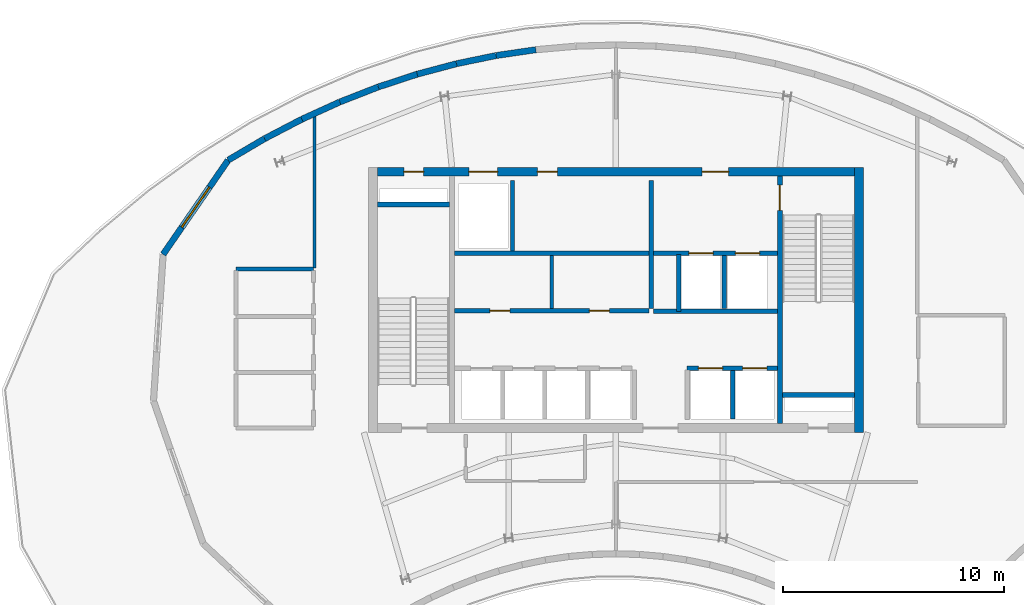
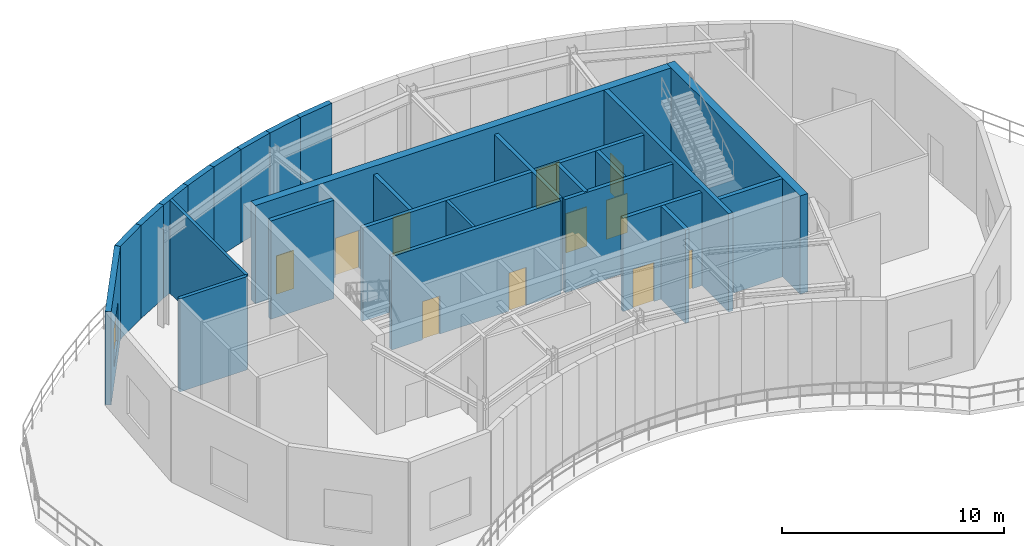
# One storey, part 4 of 8: 27 walls, 11 doors, 1 window, 12 openings.
"""IFC4 building model written with IfcOpenShell, lengths in metres."""

from ifc_helpers import new_model, si_unit, direction, frame, frame_2d, origin, place, context, subcontext, project, spatial, rectangle, extrude, source, transform, mapped, material, layer, layer_set, type_object, type_shapes, element, fill, save


model = new_model("IFC4")

# Units and contexts
model_context = context("Model", 3, precision=1e-05, world=origin(), true_north=direction((0.0, 1.0)))
body_context = subcontext(model_context, "Body", "Model", "MODEL_VIEW")
ifc_project = project(units=[si_unit("LENGTHUNIT", "METRE"), si_unit("AREAUNIT", "SQUARE_METRE"), si_unit("VOLUMEUNIT", "CUBIC_METRE"), si_unit("PLANEANGLEUNIT", "RADIAN"), si_unit("MASSUNIT", "GRAM", prefix="KILO")], contexts=[model_context])

# Site, building, storey
site_placement = place(None, origin())
site = spatial("IfcSite", under=ifc_project, at=site_placement, CompositionType="ELEMENT")
building_placement = place(site_placement, origin())
building = spatial("IfcBuilding", under=site, at=building_placement, Name="Breltana Convention Tower", CompositionType="ELEMENT")
storey_placement = place(building_placement, frame((0.0, 0.0, 312.60009765625)))
storey = spatial("IfcBuildingStorey", under=building, at=storey_placement, Name="L76", CompositionType="ELEMENT", Elevation=312.60009765625)

# Walls
ifc_material_1 = material(Name="Concrete C50/60", Category="concrete")
ifc_layer_1 = layer(ifc_material_1, 0.39990234375, Name="Concrete C50/60")
ifc_layer_set_1 = layer_set([ifc_layer_1], Name="Concrete C50/60")
wall_type_1 = type_object("IfcWallType", Name="SW-CORE-400", PredefinedType="SHEAR", material=ifc_layer_set_1)
shared_shape_1 = source(origin(), body_context, "Body", "SweptSolid", [
    extrude(rectangle(XDim=3.27001953125, YDim=0.219970703125, at=frame_2d((1.635009765625, 0.0))), origin(), (0.0, 0.0, 1.0), 5.39990234375),
])
for number, where, z_axis, x_axis, name in (
    (1, (37.199951171875, 70.510009765625, 0.0), (0.0, 0.0, 1.0), (1.0, 0.0, 0.0), "L76 ST-1 Stairwell North Bearing Wall"),
    (2, (55.530029296875, 61.889892578125, 0.0), (0.0, 0.0, 1.0), (1.0, 0.0, 0.0), "L76 ST-2 Stairwell South Bearing Wall"),
):
    element("IfcWall", number, at=place(storey_placement, frame(where, z_axis=z_axis, x_axis=x_axis)), inside=storey, type_object=wall_type_1, Name=name, PredefinedType="SHEAR", context=body_context, shape_type="MappedRepresentation", body=[
        mapped(shared_shape_1, transform((0.0, 0.0, 0.0), scale=1.0)),
    ])
shared_shape_2 = source(origin(), body_context, "Body", "SweptSolid", [
    extrude(rectangle(XDim=12.0, YDim=0.39990234375, at=frame_2d((6.0, 0.0))), origin(), (0.0, 0.0, 1.0), 5.39990234375),
])
wall_1_placement = place(storey_placement, frame((59.0, 60.199951171875, 0.0), z_axis=(0.0, 0.0, 1.0), x_axis=(0.0, 1.0, 0.0)))
element("IfcWall", 3, at=wall_1_placement, inside=storey, type_object=wall_type_1, Name="L76 East Core Shear Wall", PredefinedType="SHEAR", context=body_context, shape_type="MappedRepresentation", body=[
    mapped(shared_shape_2, transform((0.0, 0.0, 0.0), scale=1.0)),
])

# Wall, openings, doors
shared_shape_3 = source(origin(), body_context, "Body", "SweptSolid", [
    extrude(rectangle(XDim=21.60009765625, YDim=0.39990234375, at=frame_2d((10.800048828125, 0.0))), origin(), (0.0, 0.0, 1.0), 5.39990234375),
])
wall_2_placement = place(storey_placement, frame((37.199951171875, 72.0, 0.0), z_axis=(0.0, 0.0, 1.0), x_axis=(1.0, 0.0, 0.0)))
wall_2 = element("IfcWall", 4, at=wall_2_placement, inside=storey, type_object=wall_type_1, Name="L76 North Core Shear Wall", PredefinedType="SHEAR", context=body_context, shape_type="MappedRepresentation", body=[
    mapped(shared_shape_3, transform((0.0, 0.0, 0.0), scale=1.0)),
])
opening_1_placement = place(wall_2_placement, frame((1.199951171875, 0.0, 0.0)))
opening_1 = element("IfcOpeningElement", 5, at=opening_1_placement, cuts=wall_2, Name="Opening D-18", PredefinedType="OPENING", context=body_context, shape_type="SweptSolid", body=[
    extrude(rectangle(XDim=0.89990234375, YDim=2.10009765625, at=frame_2d((0.449951171875, 1.050048828125))), frame((0.0, 0.2099609375, 0.0), z_axis=(0.0, -1.0, 0.0), x_axis=(1.0, 0.0, 0.0)), (0.0, 0.0, 1.0), 0.419921875),
])
opening_2_placement = place(wall_2_placement, frame((14.699951171875, 0.0, 0.0)))
opening_2 = element("IfcOpeningElement", 6, at=opening_2_placement, cuts=wall_2, Name="Opening D-09", PredefinedType="OPENING", context=body_context, shape_type="SweptSolid", body=[
    extrude(rectangle(XDim=1.199951171875, YDim=2.14990234375, at=frame_2d((0.60009765625, 1.074951171875))), frame((0.0, 0.2099609375, 0.0), z_axis=(0.0, -1.0, 0.0), x_axis=(1.0, 0.0, 0.0)), (0.0, 0.0, 1.0), 0.419921875),
])
opening_3_placement = place(wall_2_placement, frame((4.14990234375, 0.0, 0.0)))
opening_3 = element("IfcOpeningElement", 7, at=opening_3_placement, cuts=wall_2, Name="Opening LD-01", PredefinedType="OPENING", context=body_context, shape_type="SweptSolid", body=[
    extrude(rectangle(XDim=1.300048828125, YDim=2.14990234375, at=frame_2d((0.64990234375, 1.074951171875))), frame((0.0, 0.2099609375, 0.0), z_axis=(0.0, -1.0, 0.0), x_axis=(1.0, 0.0, 0.0)), (0.0, 0.0, 1.0), 0.419921875),
])
opening_4_placement = place(wall_2_placement, frame((7.25, 0.0, 0.0)))
opening_4 = element("IfcOpeningElement", 8, at=opening_4_placement, cuts=wall_2, Name="Opening D-18", PredefinedType="OPENING", context=body_context, shape_type="SweptSolid", body=[
    extrude(rectangle(XDim=0.89990234375, YDim=2.10009765625, at=frame_2d((0.449951171875, 1.050048828125))), frame((0.0, 0.2099609375, 0.0), z_axis=(0.0, -1.0, 0.0), x_axis=(1.0, 0.0, 0.0)), (0.0, 0.0, 1.0), 0.419921875),
])
ifc_material_2 = material(Name="Steel Riser Fire Door", Category="steel")
door_type_1 = type_object("IfcDoorType", Name="DR-FD60-900", OperationType="NOTDEFINED", PredefinedType="DOOR", material=ifc_material_2)
shared_shape_4 = source(origin(), body_context, "Body", "SweptSolid", [
    extrude(rectangle(XDim=0.89990234375, YDim=2.10009765625, at=frame_2d((0.449951171875, 1.050048828125))), frame((0.0, 0.02490234375, 0.0), z_axis=(0.0, -1.0, 0.0), x_axis=(1.0, 0.0, 0.0)), (0.0, 0.0, 1.0), 0.050048828125),
])
type_shapes(door_type_1, [shared_shape_4])
door_1_placement = place(opening_1_placement, origin())
door_1 = element("IfcDoor", 9, at=door_1_placement, inside=storey, type_object=door_type_1, Name="L76 Core Riser Access Door D-L76-RS1", OperationType="SINGLE_SWING_LEFT", OverallHeight=2.10009765625, OverallWidth=0.89990234375, PredefinedType="DOOR", context=body_context, shape_type="MappedRepresentation", body=[
    mapped(shared_shape_4, transform((0.0, 0.0, 0.0), scale=1.0)),
])
fill(opening_1, door_1)
door_2_placement = place(opening_4_placement, origin())
door_2 = element("IfcDoor", 10, at=door_2_placement, inside=storey, type_object=door_type_1, Name="L76 interior door D-L76-CRA1", OperationType="SINGLE_SWING_RIGHT", OverallHeight=2.10009765625, OverallWidth=0.89990234375, PredefinedType="DOOR", context=body_context, shape_type="MappedRepresentation", body=[
    mapped(shared_shape_4, transform((0.0, 0.0, 0.0), scale=1.0)),
])
fill(opening_4, door_2)
ifc_material_3 = material(Name="Steel Fire Lobby Door", Category="steel")
door_type_2 = type_object("IfcDoorType", Name="DR-FD120-1200", OperationType="NOTDEFINED", PredefinedType="DOOR", material=ifc_material_3)
shared_shape_5 = source(origin(), body_context, "Body", "SweptSolid", [
    extrude(rectangle(XDim=1.199951171875, YDim=2.14990234375, at=frame_2d((0.60009765625, 1.074951171875))), frame((0.0, 0.02490234375, 0.0), z_axis=(0.0, -1.0, 0.0), x_axis=(1.0, 0.0, 0.0)), (0.0, 0.0, 1.0), 0.050048828125),
])
type_shapes(door_type_2, [shared_shape_5])
door_3_placement = place(opening_2_placement, origin())
door_3 = element("IfcDoor", 11, at=door_3_placement, inside=storey, type_object=door_type_2, Name="L76 interior door D-L76-FFL-N", OperationType="SINGLE_SWING_RIGHT", OverallHeight=2.14990234375, OverallWidth=1.199951171875, PredefinedType="DOOR", context=body_context, shape_type="MappedRepresentation", body=[
    mapped(shared_shape_5, transform((0.0, 0.0, 0.0), scale=1.0)),
])
fill(opening_2, door_3)
ifc_material_4 = material(Name="Stainless Steel Brushed", Category="steel")
door_type_3 = type_object("IfcDoorType", Name="DR-LD-SRV-1300", OperationType="DOUBLE_DOOR_SLIDING", PredefinedType="DOOR", material=ifc_material_4)
shared_shape_6 = source(origin(), body_context, "Body", "SweptSolid", [
    extrude(rectangle(XDim=1.300048828125, YDim=2.14990234375, at=frame_2d((0.64990234375, 1.074951171875))), frame((0.0, 0.02490234375, 0.0), z_axis=(0.0, -1.0, 0.0), x_axis=(1.0, 0.0, 0.0)), (0.0, 0.0, 1.0), 0.050048828125),
])
type_shapes(door_type_3, [shared_shape_6])
door_4_placement = place(opening_3_placement, origin())
door_4 = element("IfcDoor", 12, at=door_4_placement, inside=storey, type_object=door_type_3, Name="L76 Lift Landing Door D-L76-LD-SV1", OperationType="DOUBLE_DOOR_SLIDING", OverallHeight=2.14990234375, OverallWidth=1.300048828125, PredefinedType="DOOR", context=body_context, shape_type="MappedRepresentation", body=[
    mapped(shared_shape_6, transform((0.0, 0.0, 0.0), scale=1.0)),
])
fill(opening_3, door_4)

# Wall, opening, door
shared_shape_7 = source(origin(), body_context, "Body", "SweptSolid", [
    extrude(rectangle(XDim=11.199951171875, YDim=0.219970703125, at=frame_2d((5.60009765625, 0.0))), origin(), (0.0, 0.0, 1.0), 5.39990234375),
])
wall_3_placement = place(storey_placement, frame((55.419921875, 60.60009765625, 0.0), z_axis=(0.0, 0.0, 1.0), x_axis=(0.0, 1.0, 0.0)))
wall_3 = element("IfcWall", 13, at=wall_3_placement, inside=storey, type_object=wall_type_1, Name="L76 Core East Stair Spine Wall", PredefinedType="SHEAR", context=body_context, shape_type="MappedRepresentation", body=[
    mapped(shared_shape_7, transform((0.0, 0.0, 0.0), scale=1.0)),
])
opening_5_placement = place(wall_3_placement, frame((9.64501953125, 0.0, 0.0)))
opening_5 = element("IfcOpeningElement", 14, at=opening_5_placement, cuts=wall_3, Name="Opening D-11", PredefinedType="OPENING", context=body_context, shape_type="SweptSolid", body=[
    extrude(rectangle(XDim=1.14990234375, YDim=2.14990234375, at=frame_2d((0.574951171875, 1.074951171875))), frame((0.0, 0.1201171875, 0.0), z_axis=(0.0, -1.0, 0.0), x_axis=(1.0, 0.0, 0.0)), (0.0, 0.0, 1.0), 0.239990234375),
])
ifc_material_5 = material(Name="Steel Stair Exit Door", Category="steel")
door_type_4 = type_object("IfcDoorType", Name="DR-FD120-1150", OperationType="NOTDEFINED", PredefinedType="DOOR", material=ifc_material_5)
shared_shape_8 = source(origin(), body_context, "Body", "SweptSolid", [
    extrude(rectangle(XDim=1.14990234375, YDim=2.14990234375, at=frame_2d((0.574951171875, 1.074951171875))), frame((0.0, 0.02490234375, 0.0), z_axis=(0.0, -1.0, 0.0), x_axis=(1.0, 0.0, 0.0)), (0.0, 0.0, 1.0), 0.050048828125),
])
type_shapes(door_type_4, [shared_shape_8])
door_5_placement = place(opening_5_placement, origin())
door_5 = element("IfcDoor", 15, at=door_5_placement, inside=storey, type_object=door_type_4, Name="L76 interior door D-L76-ST2", OperationType="SINGLE_SWING_LEFT", OverallHeight=2.14990234375, OverallWidth=1.14990234375, PredefinedType="DOOR", context=body_context, shape_type="MappedRepresentation", body=[
    mapped(shared_shape_8, transform((0.0, 0.0, 0.0), scale=1.0)),
])
fill(opening_5, door_5)

# Wall, opening, window
ifc_material_6 = material(Name="Limestone Buff Insulated Wall", Category="masonry")
ifc_layer_2 = layer(ifc_material_6, 0.280029296875, Name="Limestone Buff Insulated Wall")
ifc_layer_set_2 = layer_set([ifc_layer_2], Name="Limestone Buff Insulated Wall")
wall_type_2 = type_object("IfcWallType", Name="WL-EXT-NOSE-280", PredefinedType="SOLIDWALL", material=ifc_layer_set_2)
shared_shape_9 = source(origin(), body_context, "Body", "SweptSolid", [
    extrude(rectangle(XDim=5.181396484375, YDim=0.280029296875, at=frame_2d((2.5908203125, 0.0))), origin(), (0.0, 0.0, 1.0), 5.119873046875),
])
wall_4_placement = place(storey_placement, frame((27.509521484375, 68.25830078125, 0.0), z_axis=(0.0, 0.0, 1.0), x_axis=(0.568207430175, 0.82288536036, 0.0)))
wall_4 = element("IfcWall", 16, at=wall_4_placement, inside=storey, type_object=wall_type_2, Name="L76 Sky Lookout enclosure wall 49", PredefinedType="SOLIDWALL", context=body_context, shape_type="MappedRepresentation", body=[
    mapped(shared_shape_9, transform((0.0, 0.0, 0.0), scale=1.0)),
])
opening_6_placement = place(wall_4_placement, frame((1.49072265625, 0.0, 0.949951171875)))
opening_6 = element("IfcOpeningElement", 17, at=opening_6_placement, cuts=wall_4, Name="Opening W-03", PredefinedType="OPENING", context=body_context, shape_type="SweptSolid", body=[
    extrude(rectangle(XDim=2.199951171875, YDim=2.10009765625, at=frame_2d((1.10009765625, 1.050048828125))), frame((0.0, 0.14990234375, 0.0), z_axis=(0.0, -1.0, 0.0), x_axis=(1.0, 0.0, 0.0)), (0.0, 0.0, 1.0), 0.300048828125),
])
ifc_material_7 = material(Name="Glass Low-E Insulated Window", Category="glass")
window_type = type_object("IfcWindowType", Name="WN-NOSE-2200X2100", PartitioningType="TRIPLE_PANEL_VERTICAL", PredefinedType="WINDOW", material=ifc_material_7)
shared_shape_10 = source(origin(), body_context, "Body", "SweptSolid", [
    extrude(rectangle(XDim=2.199951171875, YDim=2.10009765625, at=frame_2d((1.10009765625, 1.050048828125))), frame((0.0, 0.030029296875, 0.0), z_axis=(0.0, -1.0, 0.0), x_axis=(1.0, 0.0, 0.0)), (0.0, 0.0, 1.0), 0.06005859375),
])
type_shapes(window_type, [shared_shape_10])
window_placement = place(opening_6_placement, origin())
window = element("IfcWindow", 18, at=window_placement, inside=storey, type_object=window_type, Name="L76 lookout viewing window 49", OverallHeight=2.10009765625, OverallWidth=2.199951171875, PartitioningType="TRIPLE_PANEL_VERTICAL", PredefinedType="WINDOW", context=body_context, shape_type="MappedRepresentation", body=[
    mapped(shared_shape_10, transform((0.0, 0.0, 0.0), scale=1.0)),
])
fill(opening_6, window)

# Walls
shared_shape_11 = source(origin(), body_context, "Body", "SweptSolid", [
    extrude(rectangle(XDim=1.911376953125, YDim=0.280029296875, at=frame_2d((0.95556640625, 0.0))), origin(), (0.0, 0.0, 1.0), 5.119873046875),
])
wall_5_placement = place(storey_placement, frame((30.45361328125, 72.52197265625, 0.0), z_axis=(0.0, 0.0, 1.0), x_axis=(0.861434684646, 0.507868372798, 0.0)))
element("IfcWall", 19, at=wall_5_placement, inside=storey, type_object=wall_type_2, Name="L76 Sky Lookout enclosure wall 50", PredefinedType="SOLIDWALL", context=body_context, shape_type="MappedRepresentation", body=[
    mapped(shared_shape_11, transform((0.0, 0.0, 0.0), scale=1.0)),
])
shared_shape_12 = source(origin(), body_context, "Body", "SweptSolid", [
    extrude(rectangle(XDim=1.905517578125, YDim=0.280029296875, at=frame_2d((0.95263671875, 0.0))), origin(), (0.0, 0.0, 1.0), 5.119873046875),
])
wall_6_placement = place(storey_placement, frame((32.10009765625, 73.49267578125, 0.0), z_axis=(0.0, 0.0, 1.0), x_axis=(0.886820023543, 0.462114970373, 0.0)))
element("IfcWall", 20, at=wall_6_placement, inside=storey, type_object=wall_type_2, Name="L76 Sky Lookout enclosure wall 51", PredefinedType="SOLIDWALL", context=body_context, shape_type="MappedRepresentation", body=[
    mapped(shared_shape_12, transform((0.0, 0.0, 0.0), scale=1.0)),
])
shared_shape_13 = source(origin(), body_context, "Body", "SweptSolid", [
    extrude(rectangle(XDim=1.885986328125, YDim=0.280029296875, at=frame_2d((0.94287109375, 0.0))), origin(), (0.0, 0.0, 1.0), 5.119873046875),
])
wall_7_placement = place(storey_placement, frame((33.7900390625, 74.373291015625, 0.0), z_axis=(0.0, 0.0, 1.0), x_axis=(0.910215678877, 0.414134540852, 0.0)))
element("IfcWall", 21, at=wall_7_placement, inside=storey, type_object=wall_type_2, Name="L76 Sky Lookout enclosure wall 52", PredefinedType="SOLIDWALL", context=body_context, shape_type="MappedRepresentation", body=[
    mapped(shared_shape_13, transform((0.0, 0.0, 0.0), scale=1.0)),
])
shared_shape_14 = source(origin(), body_context, "Body", "SweptSolid", [
    extrude(rectangle(XDim=1.86865234375, YDim=0.280029296875, at=frame_2d((0.934326171875, 0.0))), origin(), (0.0, 0.0, 1.0), 5.119873046875),
])
wall_8_placement = place(storey_placement, frame((35.506591796875, 75.154296875, 0.0), z_axis=(0.0, 0.0, 1.0), x_axis=(0.931508536142, 0.363719462078, 0.0)))
element("IfcWall", 22, at=wall_8_placement, inside=storey, type_object=wall_type_2, Name="L76 Sky Lookout enclosure wall 53", PredefinedType="SOLIDWALL", context=body_context, shape_type="MappedRepresentation", body=[
    mapped(shared_shape_14, transform((0.0, 0.0, 0.0), scale=1.0)),
])
shared_shape_15 = source(origin(), body_context, "Body", "SweptSolid", [
    extrude(rectangle(XDim=1.85302734375, YDim=0.280029296875, at=frame_2d((0.926513671875, 0.0))), origin(), (0.0, 0.0, 1.0), 5.119873046875),
])
wall_9_placement = place(storey_placement, frame((37.247314453125, 75.833984375, 0.0), z_axis=(0.0, 0.0, 1.0), x_axis=(0.950213553977, 0.311599425285, 0.0)))
element("IfcWall", 23, at=wall_9_placement, inside=storey, type_object=wall_type_2, Name="L76 Sky Lookout enclosure wall 54", PredefinedType="SOLIDWALL", context=body_context, shape_type="MappedRepresentation", body=[
    mapped(shared_shape_15, transform((0.0, 0.0, 0.0), scale=1.0)),
])
shared_shape_16 = source(origin(), body_context, "Body", "SweptSolid", [
    extrude(rectangle(XDim=1.83984375, YDim=0.280029296875, at=frame_2d((0.919921875, 0.0))), origin(), (0.0, 0.0, 1.0), 5.119873046875),
])
wall_10_placement = place(storey_placement, frame((39.008056640625, 76.411376953125, 0.0), z_axis=(0.0, 0.0, 1.0), x_axis=(0.966263564288, 0.257555284027, 0.0)))
element("IfcWall", 24, at=wall_10_placement, inside=storey, type_object=wall_type_2, Name="L76 Sky Lookout enclosure wall 55", PredefinedType="SOLIDWALL", context=body_context, shape_type="MappedRepresentation", body=[
    mapped(shared_shape_16, transform((0.0, 0.0, 0.0), scale=1.0)),
])
shared_shape_17 = source(origin(), body_context, "Body", "SweptSolid", [
    extrude(rectangle(XDim=1.8291015625, YDim=0.280029296875, at=frame_2d((0.91455078125, 0.0))), origin(), (0.0, 0.0, 1.0), 5.119873046875),
])
wall_11_placement = place(storey_placement, frame((40.785888671875, 76.88525390625, 0.0), z_axis=(0.0, 0.0, 1.0), x_axis=(0.979398075553, 0.201939123509, 0.0)))
element("IfcWall", 25, at=wall_11_placement, inside=storey, type_object=wall_type_2, Name="L76 Sky Lookout enclosure wall 56", PredefinedType="SOLIDWALL", context=body_context, shape_type="MappedRepresentation", body=[
    mapped(shared_shape_17, transform((0.0, 0.0, 0.0), scale=1.0)),
])
shared_shape_18 = source(origin(), body_context, "Body", "SweptSolid", [
    extrude(rectangle(XDim=1.8212890625, YDim=0.280029296875, at=frame_2d((0.91064453125, 0.0))), origin(), (0.0, 0.0, 1.0), 5.119873046875),
])
wall_12_placement = place(storey_placement, frame((42.577392578125, 77.254638671875, 0.0), z_axis=(0.0, 0.0, 1.0), x_axis=(0.989406187496, 0.145173675797, 0.0)))
element("IfcWall", 26, at=wall_12_placement, inside=storey, type_object=wall_type_2, Name="L76 Sky Lookout enclosure wall 57", PredefinedType="SOLIDWALL", context=body_context, shape_type="MappedRepresentation", body=[
    mapped(shared_shape_18, transform((0.0, 0.0, 0.0), scale=1.0)),
])

# Wall, openings, doors
ifc_material_8 = material(Name="Autoclaved Aerated Concrete Block", Category="concrete")
ifc_layer_3 = layer(ifc_material_8, 0.199951171875, Name="Autoclaved Aerated Concrete Block")
ifc_layer_set_3 = layer_set([ifc_layer_3], Name="Autoclaved Aerated Concrete Block")
wall_type_3 = type_object("IfcWallType", Name="WL-SHAFT-200", PredefinedType="SOLIDWALL", material=ifc_layer_set_3)
shared_shape_19 = source(origin(), body_context, "Body", "SweptSolid", [
    extrude(rectangle(XDim=5.6201171875, YDim=0.199951171875, at=frame_2d((2.81005859375, 0.0))), origin(), (0.0, 0.0, 1.0), 5.119873046875),
])
wall_13_placement = place(storey_placement, frame((49.699951171875, 68.300048828125, 0.0), z_axis=(0.0, 0.0, 1.0), x_axis=(1.0, 0.0, 0.0)))
wall_13 = element("IfcWall", 27, at=wall_13_placement, inside=storey, type_object=wall_type_3, Name="L76 interior partition W-L76-FFL-S", PredefinedType="SOLIDWALL", context=body_context, shape_type="MappedRepresentation", body=[
    mapped(shared_shape_19, transform((0.0, 0.0, 0.0), scale=1.0)),
])
opening_7_placement = place(wall_13_placement, frame((1.60009765625, 0.0, 0.0)))
opening_7 = element("IfcOpeningElement", 28, at=opening_7_placement, cuts=wall_13, Name="Opening LD-03", PredefinedType="OPENING", context=body_context, shape_type="SweptSolid", body=[
    extrude(rectangle(XDim=1.10009765625, YDim=2.14990234375, at=frame_2d((0.550048828125, 1.074951171875))), frame((0.0, 0.10986328125, 0.0), z_axis=(0.0, -1.0, 0.0), x_axis=(1.0, 0.0, 0.0)), (0.0, 0.0, 1.0), 0.219970703125),
])
opening_8_placement = place(wall_13_placement, frame((3.699951171875, 0.0, 0.0)))
opening_8 = element("IfcOpeningElement", 29, at=opening_8_placement, cuts=wall_13, Name="Opening LD-03", PredefinedType="OPENING", context=body_context, shape_type="SweptSolid", body=[
    extrude(rectangle(XDim=1.10009765625, YDim=2.14990234375, at=frame_2d((0.550048828125, 1.074951171875))), frame((0.0, 0.10986328125, 0.0), z_axis=(0.0, -1.0, 0.0), x_axis=(1.0, 0.0, 0.0)), (0.0, 0.0, 1.0), 0.219970703125),
])
door_type_5 = type_object("IfcDoorType", Name="DR-LD-FF-1100", OperationType="DOUBLE_DOOR_SLIDING", PredefinedType="DOOR", material=ifc_material_4)
shared_shape_20 = source(origin(), body_context, "Body", "SweptSolid", [
    extrude(rectangle(XDim=1.10009765625, YDim=2.14990234375, at=frame_2d((0.550048828125, 1.074951171875))), frame((0.0, 0.02490234375, 0.0), z_axis=(0.0, -1.0, 0.0), x_axis=(1.0, 0.0, 0.0)), (0.0, 0.0, 1.0), 0.050048828125),
])
type_shapes(door_type_5, [shared_shape_20])
door_6_placement = place(opening_7_placement, origin())
door_6 = element("IfcDoor", 30, at=door_6_placement, inside=storey, type_object=door_type_5, Name="L76 Lift Landing Door D-L76-LD-FL1", OperationType="DOUBLE_DOOR_SLIDING", OverallHeight=2.14990234375, OverallWidth=1.10009765625, PredefinedType="DOOR", context=body_context, shape_type="MappedRepresentation", body=[
    mapped(shared_shape_20, transform((0.0, 0.0, 0.0), scale=1.0)),
])
fill(opening_7, door_6)
door_7_placement = place(opening_8_placement, origin())
door_7 = element("IfcDoor", 31, at=door_7_placement, inside=storey, type_object=door_type_5, Name="L76 Lift Landing Door D-L76-LD-FL2", OperationType="DOUBLE_DOOR_SLIDING", OverallHeight=2.14990234375, OverallWidth=1.10009765625, PredefinedType="DOOR", context=body_context, shape_type="MappedRepresentation", body=[
    mapped(shared_shape_20, transform((0.0, 0.0, 0.0), scale=1.0)),
])
fill(opening_8, door_7)

# Walls
wall_14_placement = place(storey_placement, frame((49.699951171875, 65.679931640625, 0.0), z_axis=(0.0, 0.0, 1.0), x_axis=(1.0, 0.0, 0.0)))
element("IfcWall", 32, at=wall_14_placement, inside=storey, type_object=wall_type_3, Name="L76 interior partition W-L76-FL-S", PredefinedType="SOLIDWALL", context=body_context, shape_type="MappedRepresentation", body=[
    mapped(shared_shape_19, transform((0.0, 0.0, 0.0), scale=1.0)),
])
shared_shape_21 = source(origin(), body_context, "Body", "SweptSolid", [
    extrude(rectangle(XDim=5.800048828125, YDim=0.199951171875, at=frame_2d((2.89990234375, 0.0))), origin(), (0.0, 0.0, 1.0), 5.119873046875),
])
wall_15_placement = place(storey_placement, frame((49.60009765625, 65.800048828125, 0.0), z_axis=(0.0, 0.0, 1.0), x_axis=(0.0, 1.0, 0.0)))
element("IfcWall", 33, at=wall_15_placement, inside=storey, type_object=wall_type_3, Name="L76 interior partition W-L76-FFL-W", PredefinedType="SOLIDWALL", context=body_context, shape_type="MappedRepresentation", body=[
    mapped(shared_shape_21, transform((0.0, 0.0, 0.0), scale=1.0)),
])
shared_shape_22 = source(origin(), body_context, "Body", "SweptSolid", [
    extrude(rectangle(XDim=2.580078125, YDim=0.199951171875, at=frame_2d((1.2900390625, 0.0))), origin(), (0.0, 0.0, 1.0), 5.119873046875),
])
wall_16_placement = place(storey_placement, frame((50.85009765625, 65.679931640625, 0.0), z_axis=(0.0, 0.0, 1.0), x_axis=(0.0, 1.0, 0.0)))
element("IfcWall", 34, at=wall_16_placement, inside=storey, type_object=wall_type_3, Name="L76 interior partition W-L76-FL-W", PredefinedType="SOLIDWALL", context=body_context, shape_type="MappedRepresentation", body=[
    mapped(shared_shape_22, transform((0.0, 0.0, 0.0), scale=1.0)),
])
shared_shape_23 = source(origin(), body_context, "Body", "SweptSolid", [
    extrude(rectangle(XDim=2.39990234375, YDim=0.199951171875, at=frame_2d((1.199951171875, 0.0))), origin(), (0.0, 0.0, 1.0), 5.119873046875),
])
wall_17_placement = place(storey_placement, frame((52.89990234375, 65.800048828125, 0.0), z_axis=(0.0, 0.0, 1.0), x_axis=(0.0, 1.0, 0.0)))
element("IfcWall", 35, at=wall_17_placement, inside=storey, type_object=wall_type_3, Name="L76 interior partition W-L76-FL-DIV", PredefinedType="SOLIDWALL", context=body_context, shape_type="MappedRepresentation", body=[
    mapped(shared_shape_23, transform((0.0, 0.0, 0.0), scale=1.0)),
])
shared_shape_24 = source(origin(), body_context, "Body", "SweptSolid", [
    extrude(rectangle(XDim=3.2001953125, YDim=0.199951171875, at=frame_2d((1.60009765625, 0.0))), origin(), (0.0, 0.0, 1.0), 5.119873046875),
])
wall_18_placement = place(storey_placement, frame((43.320068359375, 68.39990234375, 0.0), z_axis=(0.0, 0.0, 1.0), x_axis=(0.0, 1.0, 0.0)))
element("IfcWall", 36, at=wall_18_placement, inside=storey, type_object=wall_type_3, Name="L76 interior partition W-L76-SV-E", PredefinedType="SOLIDWALL", context=body_context, shape_type="MappedRepresentation", body=[
    mapped(shared_shape_24, transform((0.0, 0.0, 0.0), scale=1.0)),
])
shared_shape_25 = source(origin(), body_context, "Body", "SweptSolid", [
    extrude(rectangle(XDim=8.800048828125, YDim=0.199951171875, at=frame_2d((4.39990234375, 0.0))), origin(), (0.0, 0.0, 1.0), 5.119873046875),
])
wall_19_placement = place(storey_placement, frame((40.699951171875, 68.300048828125, 0.0), z_axis=(0.0, 0.0, 1.0), x_axis=(1.0, 0.0, 0.0)))
element("IfcWall", 37, at=wall_19_placement, inside=storey, type_object=wall_type_3, Name="L76 interior partition W-L76-SV-S", PredefinedType="SOLIDWALL", context=body_context, shape_type="MappedRepresentation", body=[
    mapped(shared_shape_25, transform((0.0, 0.0, 0.0), scale=1.0)),
])

# Wall, openings, doors
wall_20_placement = place(storey_placement, frame((40.699951171875, 65.699951171875, 0.0), z_axis=(0.0, 0.0, 1.0), x_axis=(1.0, 0.0, 0.0)))
wall_20 = element("IfcWall", 38, at=wall_20_placement, inside=storey, type_object=wall_type_3, Name="L76 interior partition W-L76-SH-M-FRONT", PredefinedType="SOLIDWALL", context=body_context, shape_type="MappedRepresentation", body=[
    mapped(shared_shape_25, transform((0.0, 0.0, 0.0), scale=1.0)),
])
opening_9_placement = place(wall_20_placement, frame((1.60009765625, 0.0, 0.0)))
opening_9 = element("IfcOpeningElement", 39, at=opening_9_placement, cuts=wall_20, Name="Opening D-18", PredefinedType="OPENING", context=body_context, shape_type="SweptSolid", body=[
    extrude(rectangle(XDim=0.89990234375, YDim=2.10009765625, at=frame_2d((0.449951171875, 1.050048828125))), frame((0.0, 0.10986328125, 0.0), z_axis=(0.0, -1.0, 0.0), x_axis=(1.0, 0.0, 0.0)), (0.0, 0.0, 1.0), 0.219970703125),
])
opening_10_placement = place(wall_20_placement, frame((6.10009765625, 0.0, 0.0)))
opening_10 = element("IfcOpeningElement", 40, at=opening_10_placement, cuts=wall_20, Name="Opening D-18", PredefinedType="OPENING", context=body_context, shape_type="SweptSolid", body=[
    extrude(rectangle(XDim=0.89990234375, YDim=2.10009765625, at=frame_2d((0.449951171875, 1.050048828125))), frame((0.0, 0.10986328125, 0.0), z_axis=(0.0, -1.0, 0.0), x_axis=(1.0, 0.0, 0.0)), (0.0, 0.0, 1.0), 0.219970703125),
])
door_8_placement = place(opening_9_placement, origin())
door_8 = element("IfcDoor", 41, at=door_8_placement, inside=storey, type_object=door_type_1, Name="L76 interior door D-L76-LV7-B2A", OperationType="SINGLE_SWING_LEFT", OverallHeight=2.10009765625, OverallWidth=0.89990234375, PredefinedType="DOOR", context=body_context, shape_type="MappedRepresentation", body=[
    mapped(shared_shape_4, transform((0.0, 0.0, 0.0), scale=1.0)),
])
fill(opening_9, door_8)
door_9_placement = place(opening_10_placement, origin())
door_9 = element("IfcDoor", 42, at=door_9_placement, inside=storey, type_object=door_type_1, Name="L76 interior door D-L76-LV7-B2B", OperationType="SINGLE_SWING_RIGHT", OverallHeight=2.10009765625, OverallWidth=0.89990234375, PredefinedType="DOOR", context=body_context, shape_type="MappedRepresentation", body=[
    mapped(shared_shape_4, transform((0.0, 0.0, 0.0), scale=1.0)),
])
fill(opening_10, door_9)

shared_shape_26 = source(origin(), body_context, "Body", "SweptSolid", [
    extrude(rectangle(XDim=4.10009765625, YDim=0.199951171875, at=frame_2d((2.050048828125, 0.0))), origin(), (0.0, 0.0, 1.0), 5.119873046875),
])
wall_21_placement = place(storey_placement, frame((51.219970703125, 63.10009765625, 0.0), z_axis=(0.0, 0.0, 1.0), x_axis=(1.0, 0.0, 0.0)))
wall_21 = element("IfcWall", 43, at=wall_21_placement, inside=storey, type_object=wall_type_3, Name="L76 interior partition W-L76-SH-X-FRONT", PredefinedType="SOLIDWALL", context=body_context, shape_type="MappedRepresentation", body=[
    mapped(shared_shape_26, transform((0.0, 0.0, 0.0), scale=1.0)),
])
opening_11_placement = place(wall_21_placement, frame((0.510009765625, 0.0, 0.0)))
opening_11 = element("IfcOpeningElement", 44, at=opening_11_placement, cuts=wall_21, Name="Opening LD-02", PredefinedType="OPENING", context=body_context, shape_type="SweptSolid", body=[
    extrude(rectangle(XDim=1.10009765625, YDim=2.14990234375, at=frame_2d((0.550048828125, 1.074951171875))), frame((0.0, 0.10986328125, 0.0), z_axis=(0.0, -1.0, 0.0), x_axis=(1.0, 0.0, 0.0)), (0.0, 0.0, 1.0), 0.219970703125),
])
opening_12_placement = place(wall_21_placement, frame((2.510009765625, 0.0, 0.0)))
opening_12 = element("IfcOpeningElement", 45, at=opening_12_placement, cuts=wall_21, Name="Opening LD-02", PredefinedType="OPENING", context=body_context, shape_type="SweptSolid", body=[
    extrude(rectangle(XDim=1.10009765625, YDim=2.14990234375, at=frame_2d((0.550048828125, 1.074951171875))), frame((0.0, 0.10986328125, 0.0), z_axis=(0.0, -1.0, 0.0), x_axis=(1.0, 0.0, 0.0)), (0.0, 0.0, 1.0), 0.219970703125),
])
ifc_material_9 = material(Name="Stainless Steel Bronze", Category="steel")
door_type_6 = type_object("IfcDoorType", Name="DR-LD-EXP-1100", OperationType="DOUBLE_DOOR_SLIDING", PredefinedType="DOOR", material=ifc_material_9)
shared_shape_27 = source(origin(), body_context, "Body", "SweptSolid", [
    extrude(rectangle(XDim=1.10009765625, YDim=2.14990234375, at=frame_2d((0.550048828125, 1.074951171875))), frame((0.0, 0.02490234375, 0.0), z_axis=(0.0, -1.0, 0.0), x_axis=(1.0, 0.0, 0.0)), (0.0, 0.0, 1.0), 0.050048828125),
])
type_shapes(door_type_6, [shared_shape_27])
door_10_placement = place(opening_11_placement, origin())
door_10 = element("IfcDoor", 46, at=door_10_placement, inside=storey, type_object=door_type_6, Name="L76 Lift Landing Door D-L76-LD-X1", OperationType="DOUBLE_DOOR_SLIDING", OverallHeight=2.14990234375, OverallWidth=1.10009765625, PredefinedType="DOOR", context=body_context, shape_type="MappedRepresentation", body=[
    mapped(shared_shape_27, transform((0.0, 0.0, 0.0), scale=1.0)),
])
fill(opening_11, door_10)
door_11_placement = place(opening_12_placement, origin())
door_11 = element("IfcDoor", 47, at=door_11_placement, inside=storey, type_object=door_type_6, Name="L76 Lift Landing Door D-L76-LD-X2", OperationType="DOUBLE_DOOR_SLIDING", OverallHeight=2.14990234375, OverallWidth=1.10009765625, PredefinedType="DOOR", context=body_context, shape_type="MappedRepresentation", body=[
    mapped(shared_shape_27, transform((0.0, 0.0, 0.0), scale=1.0)),
])
fill(opening_12, door_11)

# Walls
shared_shape_28 = source(origin(), body_context, "Body", "SweptSolid", [
    extrude(rectangle(XDim=2.199951171875, YDim=0.199951171875, at=frame_2d((1.10009765625, 0.0))), origin(), (0.0, 0.0, 1.0), 5.119873046875),
])
wall_22_placement = place(storey_placement, frame((53.280029296875, 60.800048828125, 0.0), z_axis=(0.0, 0.0, 1.0), x_axis=(0.0, 1.0, 0.0)))
element("IfcWall", 48, at=wall_22_placement, inside=storey, type_object=wall_type_3, Name="L76 interior partition W-L76-SH-X-DIV", PredefinedType="SOLIDWALL", context=body_context, shape_type="MappedRepresentation", body=[
    mapped(shared_shape_28, transform((0.0, 0.0, 0.0), scale=1.0)),
])
ifc_material_10 = material(Name="Gypsum Acoustic Drywall Partition")
ifc_layer_4 = layer(ifc_material_10, 0.14990234375, Name="Gypsum Acoustic Drywall Partition")
ifc_layer_set_4 = layer_set([ifc_layer_4], Name="Gypsum Acoustic Drywall Partition")
wall_type_4 = type_object("IfcWallType", Name="WL-PART-150", PredefinedType="PARTITIONING", material=ifc_layer_set_4)
shared_shape_29 = source(origin(), body_context, "Body", "SweptSolid", [
    extrude(rectangle(XDim=2.39990234375, YDim=0.14990234375, at=frame_2d((1.199951171875, 0.0))), origin(), (0.0, 0.0, 1.0), 5.119873046875),
])
wall_23_placement = place(storey_placement, frame((45.10009765625, 65.800048828125, 0.0), z_axis=(0.0, 0.0, 1.0), x_axis=(0.0, 1.0, 0.0)))
element("IfcWall", 49, at=wall_23_placement, inside=storey, type_object=wall_type_4, Name="L76 interior partition W-L76-LV7-B2-DIV", PredefinedType="PARTITIONING", context=body_context, shape_type="MappedRepresentation", body=[
    mapped(shared_shape_29, transform((0.0, 0.0, 0.0), scale=1.0)),
])
ifc_material_11 = material(Name="Moisture-Resistant Gypsum Chase Wall")
ifc_layer_5 = layer(ifc_material_11, 0.179931640625, Name="Moisture-Resistant Gypsum Chase Wall")
ifc_layer_set_5 = layer_set([ifc_layer_5], Name="Moisture-Resistant Gypsum Chase Wall")
wall_type_5 = type_object("IfcWallType", Name="WL-PLUMB-180", PredefinedType="PLUMBINGWALL", material=ifc_layer_set_5)
shared_shape_30 = source(origin(), body_context, "Body", "SweptSolid", [
    extrude(rectangle(XDim=3.52001953125, YDim=0.179931640625, at=frame_2d((1.760009765625, 0.0))), origin(), (0.0, 0.0, 1.0), 5.119873046875),
])
wall_24_placement = place(storey_placement, frame((30.800048828125, 67.60009765625, 0.0), z_axis=(0.0, 0.0, 1.0), x_axis=(1.0, 0.0, 0.0)))
element("IfcWall", 50, at=wall_24_placement, inside=storey, type_object=wall_type_5, Name="L76 interior partition W-L76-WCA-N", PredefinedType="PLUMBINGWALL", context=body_context, shape_type="MappedRepresentation", body=[
    mapped(shared_shape_30, transform((0.0, 0.0, 0.0), scale=1.0)),
])
shared_shape_31 = source(origin(), body_context, "Body", "SweptSolid", [
    extrude(rectangle(XDim=6.86181640625, YDim=0.14990234375, at=frame_2d((3.430908203125, 0.0))), origin(), (0.0, 0.0, 1.0), 5.119873046875),
])
wall_25_placement = place(storey_placement, frame((34.360107421875, 67.64990234375, 0.0), z_axis=(0.0, 0.0, 1.0), x_axis=(0.0, 1.0, 0.0)))
element("IfcWall", 51, at=wall_25_placement, inside=storey, type_object=wall_type_4, Name="L76 interior partition W-L76-L76-WN", PredefinedType="PARTITIONING", context=body_context, shape_type="MappedRepresentation", body=[
    mapped(shared_shape_31, transform((0.0, 0.0, 0.0), scale=1.0)),
])

save(model, "model.ifc")
